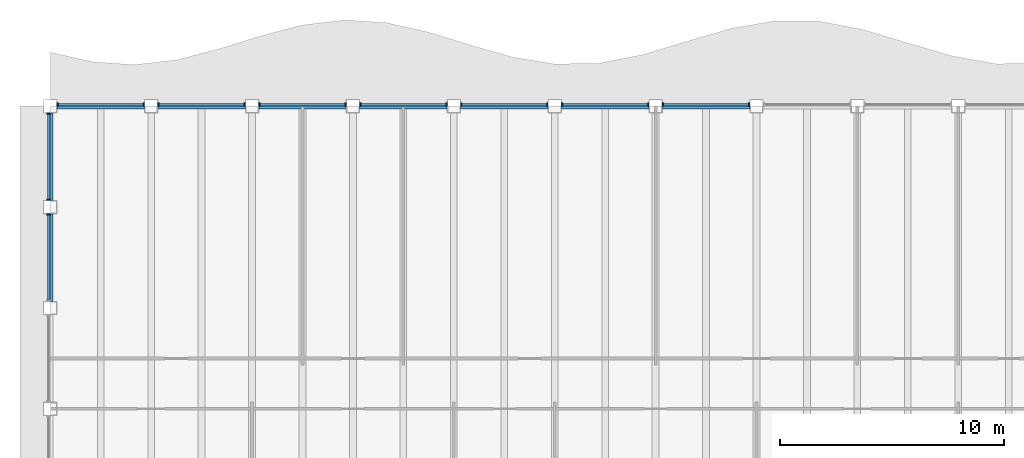
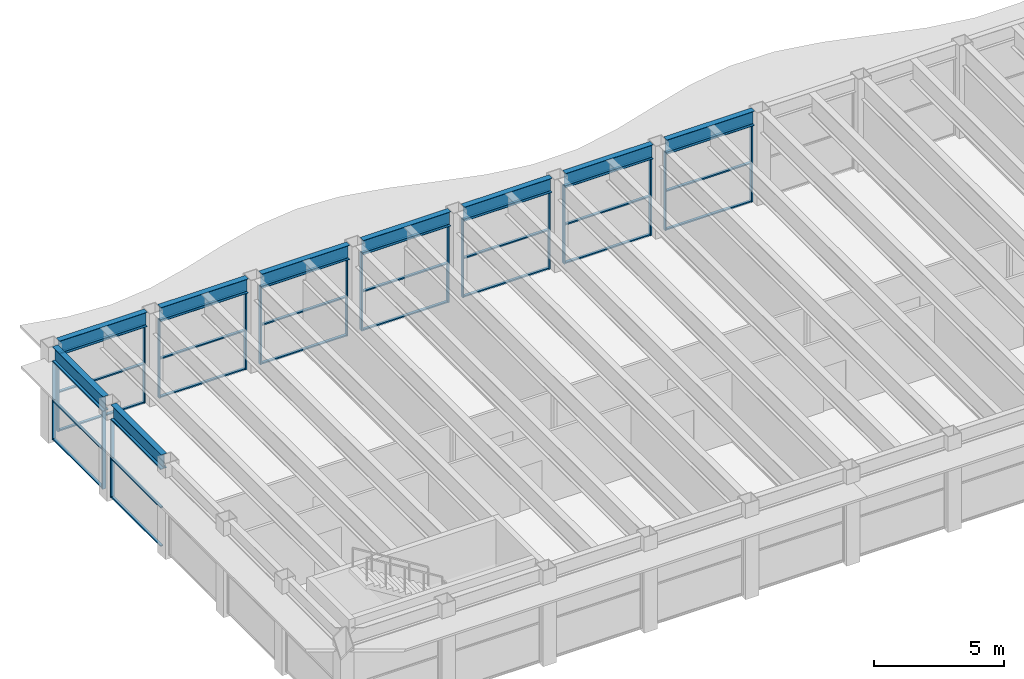
# One storey, part 4 of 14: 44 members, 9 beams, 9 elements without a shape of their own.
"""IFC4 building model written with IfcOpenShell, lengths in metres."""

from ifc_helpers import new_model, si_unit, direction, frame, origin, origin_2d, place, context, subcontext, project, spatial, rectangle, i_section, extrude, material, material_profile, profile_set, type_object, element, aggregate, save


model = new_model("IFC4")

# Units and contexts
model_context = context("Model", 3, precision=1e-05, world=origin(), true_north=direction((0.0, 1.0)))
body_context = subcontext(model_context, "Body", "Model", "MODEL_VIEW")
ifc_project = project(units=[si_unit("LENGTHUNIT", "METRE"), si_unit("AREAUNIT", "SQUARE_METRE"), si_unit("VOLUMEUNIT", "CUBIC_METRE"), si_unit("PLANEANGLEUNIT", "RADIAN"), si_unit("MASSUNIT", "GRAM", prefix="KILO")], contexts=[model_context])

# Site, building, storey
site_placement = place(None, origin())
site = spatial("IfcSite", under=ifc_project, at=site_placement, CompositionType="ELEMENT")
building_placement = place(site_placement, origin())
building = spatial("IfcBuilding", under=site, at=building_placement, Name="Sennacour Bend Tower", CompositionType="ELEMENT")
storey_placement = place(building_placement, frame((0.0, 0.0, 309.5)))
storey = spatial("IfcBuildingStorey", under=building, at=storey_placement, Name="L71", CompositionType="ELEMENT", Elevation=309.5)

# Curtain wall, members
ifc_material_1 = material(Name="Bronze anodised aluminium curtain wall with clear glass", Category="aluminium")
curtain_wall_type = type_object("IfcCurtainWallType", Name="CURTAIN WALL EXEC", PredefinedType="NOTDEFINED", material=ifc_material_1)
curtain_wall_1_placement = place(storey_placement, origin())
curtain_wall_1 = element("IfcCurtainWall", 1, at=curtain_wall_1_placement, inside=storey, type_object=curtain_wall_type, Name="Executive floor glass wall L71", PredefinedType="NOTDEFINED")
ifc_material_2 = material(Name="Aluminium 6063-T6", Category="aluminium")
ifc_material_profile_1 = material_profile(ifc_material_2, rectangle(XDim=0.14990234375, YDim=0.06005859375, at=origin_2d()), Name="Aluminium 6063-T6", Category="aluminium")
ifc_profile_set_1 = profile_set([ifc_material_profile_1], Name="Aluminium 6063-T6")
member_type_1 = type_object("IfcMemberType", Name="CW-MULLION-150X60", PredefinedType="MULLION", material=ifc_profile_set_1)
member_1_placement = place(storey_placement, frame((31.169921875, 22.574951171875, 0.0), z_axis=(0.0, 0.0, 1.0), x_axis=(0.0, -1.0, 0.0)))
member_1 = element("IfcMember", 2, at=member_1_placement, type_object=member_type_1, Name="GW3 curtain wall mullion 1", PredefinedType="MULLION", context=body_context, shape_type="SweptSolid", body=[
    extrude(rectangle(XDim=0.14990234375, YDim=0.06005859375, at=origin_2d()), origin(), (0.0, 0.0, 1.0), 3.672119140625),
])
member_2_placement = place(storey_placement, frame((27.330078125, 22.574951171875, 0.0), z_axis=(0.0, 0.0, 1.0), x_axis=(0.0, -1.0, 0.0)))
member_2 = element("IfcMember", 3, at=member_2_placement, type_object=member_type_1, Name="GW3 curtain wall mullion 2", PredefinedType="MULLION", context=body_context, shape_type="SweptSolid", body=[
    extrude(rectangle(XDim=0.14990234375, YDim=0.06005859375, at=origin_2d()), origin(), (0.0, 0.0, 1.0), 3.672119140625),
])

curtain_wall_2_placement = place(storey_placement, origin())
curtain_wall_2 = element("IfcCurtainWall", 4, at=curtain_wall_2_placement, inside=storey, type_object=curtain_wall_type, Name="Executive floor glass wall L71", PredefinedType="NOTDEFINED")
member_3_placement = place(storey_placement, frame((26.669921875, 22.574951171875, 0.0), z_axis=(0.0, 0.0, 1.0), x_axis=(0.0, -1.0, 0.0)))
member_3 = element("IfcMember", 5, at=member_3_placement, type_object=member_type_1, Name="GW3 curtain wall mullion 1", PredefinedType="MULLION", context=body_context, shape_type="SweptSolid", body=[
    extrude(rectangle(XDim=0.14990234375, YDim=0.06005859375, at=origin_2d()), origin(), (0.0, 0.0, 1.0), 3.672119140625),
])
member_4_placement = place(storey_placement, frame((22.830078125, 22.574951171875, 0.0), z_axis=(0.0, 0.0, 1.0), x_axis=(0.0, -1.0, 0.0)))
member_4 = element("IfcMember", 6, at=member_4_placement, type_object=member_type_1, Name="GW3 curtain wall mullion 2", PredefinedType="MULLION", context=body_context, shape_type="SweptSolid", body=[
    extrude(rectangle(XDim=0.14990234375, YDim=0.06005859375, at=origin_2d()), origin(), (0.0, 0.0, 1.0), 3.672119140625),
])

curtain_wall_3_placement = place(storey_placement, origin())
curtain_wall_3 = element("IfcCurtainWall", 7, at=curtain_wall_3_placement, inside=storey, type_object=curtain_wall_type, Name="Executive floor glass wall L71", PredefinedType="NOTDEFINED")
member_5_placement = place(storey_placement, frame((22.169921875, 22.574951171875, 0.0), z_axis=(0.0, 0.0, 1.0), x_axis=(0.0, -1.0, 0.0)))
member_5 = element("IfcMember", 8, at=member_5_placement, type_object=member_type_1, Name="GW3 curtain wall mullion 1", PredefinedType="MULLION", context=body_context, shape_type="SweptSolid", body=[
    extrude(rectangle(XDim=0.14990234375, YDim=0.06005859375, at=origin_2d()), origin(), (0.0, 0.0, 1.0), 3.672119140625),
])
member_6_placement = place(storey_placement, frame((18.330078125, 22.574951171875, 0.0), z_axis=(0.0, 0.0, 1.0), x_axis=(0.0, -1.0, 0.0)))
member_6 = element("IfcMember", 9, at=member_6_placement, type_object=member_type_1, Name="GW3 curtain wall mullion 2", PredefinedType="MULLION", context=body_context, shape_type="SweptSolid", body=[
    extrude(rectangle(XDim=0.14990234375, YDim=0.06005859375, at=origin_2d()), origin(), (0.0, 0.0, 1.0), 3.672119140625),
])

curtain_wall_4_placement = place(storey_placement, origin())
curtain_wall_4 = element("IfcCurtainWall", 10, at=curtain_wall_4_placement, inside=storey, type_object=curtain_wall_type, Name="Executive floor glass wall L71", PredefinedType="NOTDEFINED")
member_7_placement = place(storey_placement, frame((17.669921875, 22.574951171875, 0.0), z_axis=(0.0, 0.0, 1.0), x_axis=(0.0, -1.0, 0.0)))
member_7 = element("IfcMember", 11, at=member_7_placement, type_object=member_type_1, Name="GW3 curtain wall mullion 1", PredefinedType="MULLION", context=body_context, shape_type="SweptSolid", body=[
    extrude(rectangle(XDim=0.14990234375, YDim=0.06005859375, at=origin_2d()), origin(), (0.0, 0.0, 1.0), 3.672119140625),
])
member_8_placement = place(storey_placement, frame((13.830078125, 22.574951171875, 0.0), z_axis=(0.0, 0.0, 1.0), x_axis=(0.0, -1.0, 0.0)))
member_8 = element("IfcMember", 12, at=member_8_placement, type_object=member_type_1, Name="GW3 curtain wall mullion 2", PredefinedType="MULLION", context=body_context, shape_type="SweptSolid", body=[
    extrude(rectangle(XDim=0.14990234375, YDim=0.06005859375, at=origin_2d()), origin(), (0.0, 0.0, 1.0), 3.672119140625),
])

curtain_wall_5_placement = place(storey_placement, origin())
curtain_wall_5 = element("IfcCurtainWall", 13, at=curtain_wall_5_placement, inside=storey, type_object=curtain_wall_type, Name="Executive floor glass wall L71", PredefinedType="NOTDEFINED")
member_9_placement = place(storey_placement, frame((13.169921875, 22.574951171875, 0.0), z_axis=(0.0, 0.0, 1.0), x_axis=(0.0, -1.0, 0.0)))
member_9 = element("IfcMember", 14, at=member_9_placement, type_object=member_type_1, Name="GW3 curtain wall mullion 1", PredefinedType="MULLION", context=body_context, shape_type="SweptSolid", body=[
    extrude(rectangle(XDim=0.14990234375, YDim=0.06005859375, at=origin_2d()), origin(), (0.0, 0.0, 1.0), 3.672119140625),
])
member_10_placement = place(storey_placement, frame((9.330078125, 22.574951171875, 0.0), z_axis=(0.0, 0.0, 1.0), x_axis=(0.0, -1.0, 0.0)))
member_10 = element("IfcMember", 15, at=member_10_placement, type_object=member_type_1, Name="GW3 curtain wall mullion 2", PredefinedType="MULLION", context=body_context, shape_type="SweptSolid", body=[
    extrude(rectangle(XDim=0.14990234375, YDim=0.06005859375, at=origin_2d()), origin(), (0.0, 0.0, 1.0), 3.672119140625),
])

curtain_wall_6_placement = place(storey_placement, origin())
curtain_wall_6 = element("IfcCurtainWall", 16, at=curtain_wall_6_placement, inside=storey, type_object=curtain_wall_type, Name="Executive floor glass wall L71", PredefinedType="NOTDEFINED")
member_11_placement = place(storey_placement, frame((8.669921875, 22.574951171875, 0.0), z_axis=(0.0, 0.0, 1.0), x_axis=(0.0, -1.0, 0.0)))
member_11 = element("IfcMember", 17, at=member_11_placement, type_object=member_type_1, Name="GW3 curtain wall mullion 1", PredefinedType="MULLION", context=body_context, shape_type="SweptSolid", body=[
    extrude(rectangle(XDim=0.14990234375, YDim=0.06005859375, at=origin_2d()), origin(), (0.0, 0.0, 1.0), 3.672119140625),
])
member_12_placement = place(storey_placement, frame((4.830078125, 22.574951171875, 0.0), z_axis=(0.0, 0.0, 1.0), x_axis=(0.0, -1.0, 0.0)))
member_12 = element("IfcMember", 18, at=member_12_placement, type_object=member_type_1, Name="GW3 curtain wall mullion 2", PredefinedType="MULLION", context=body_context, shape_type="SweptSolid", body=[
    extrude(rectangle(XDim=0.14990234375, YDim=0.06005859375, at=origin_2d()), origin(), (0.0, 0.0, 1.0), 3.672119140625),
])

curtain_wall_7_placement = place(storey_placement, origin())
curtain_wall_7 = element("IfcCurtainWall", 19, at=curtain_wall_7_placement, inside=storey, type_object=curtain_wall_type, Name="Executive floor glass wall L71", PredefinedType="NOTDEFINED")
member_13_placement = place(storey_placement, frame((4.169921875, 22.574951171875, 0.0), z_axis=(0.0, 0.0, 1.0), x_axis=(0.0, -1.0, 0.0)))
member_13 = element("IfcMember", 20, at=member_13_placement, type_object=member_type_1, Name="GW3 curtain wall mullion 1", PredefinedType="MULLION", context=body_context, shape_type="SweptSolid", body=[
    extrude(rectangle(XDim=0.14990234375, YDim=0.06005859375, at=origin_2d()), origin(), (0.0, 0.0, 1.0), 3.672119140625),
])
member_14_placement = place(storey_placement, frame((0.330078125, 22.574951171875, 0.0), z_axis=(0.0, 0.0, 1.0), x_axis=(0.0, -1.0, 0.0)))
member_14 = element("IfcMember", 21, at=member_14_placement, type_object=member_type_1, Name="GW3 curtain wall mullion 2", PredefinedType="MULLION", context=body_context, shape_type="SweptSolid", body=[
    extrude(rectangle(XDim=0.14990234375, YDim=0.06005859375, at=origin_2d()), origin(), (0.0, 0.0, 1.0), 3.672119140625),
])

curtain_wall_8_placement = place(storey_placement, origin())
curtain_wall_8 = element("IfcCurtainWall", 22, at=curtain_wall_8_placement, inside=storey, type_object=curtain_wall_type, Name="Executive floor glass wall L71", PredefinedType="NOTDEFINED")
member_15_placement = place(storey_placement, frame((-0.074951171875, 22.169921875, 0.0), z_axis=(0.0, 0.0, 1.0), x_axis=(1.0, 0.0, 0.0)))
member_15 = element("IfcMember", 23, at=member_15_placement, type_object=member_type_1, Name="GW3 curtain wall mullion 1", PredefinedType="MULLION", context=body_context, shape_type="SweptSolid", body=[
    extrude(rectangle(XDim=0.14990234375, YDim=0.06005859375, at=origin_2d()), origin(), (0.0, 0.0, 1.0), 3.672119140625),
])
member_16_placement = place(storey_placement, frame((-0.074951171875, 18.330078125, 0.0), z_axis=(0.0, 0.0, 1.0), x_axis=(1.0, 0.0, 0.0)))
member_16 = element("IfcMember", 24, at=member_16_placement, type_object=member_type_1, Name="GW3 curtain wall mullion 2", PredefinedType="MULLION", context=body_context, shape_type="SweptSolid", body=[
    extrude(rectangle(XDim=0.14990234375, YDim=0.06005859375, at=origin_2d()), origin(), (0.0, 0.0, 1.0), 3.672119140625),
])

# Curtain wall, member
curtain_wall_9_placement = place(storey_placement, origin())
curtain_wall_9 = element("IfcCurtainWall", 25, at=curtain_wall_9_placement, inside=storey, type_object=curtain_wall_type, Name="Executive floor glass wall L71", PredefinedType="NOTDEFINED")
member_17_placement = place(storey_placement, frame((-0.074951171875, 17.669921875, 0.0), z_axis=(0.0, 0.0, 1.0), x_axis=(1.0, 0.0, 0.0)))
member_17 = element("IfcMember", 26, at=member_17_placement, type_object=member_type_1, Name="GW3 curtain wall mullion 1", PredefinedType="MULLION", context=body_context, shape_type="SweptSolid", body=[
    extrude(rectangle(XDim=0.14990234375, YDim=0.06005859375, at=origin_2d()), origin(), (0.0, 0.0, 1.0), 3.672119140625),
])

# Member
ifc_material_profile_2 = material_profile(ifc_material_2, rectangle(XDim=0.1201171875, YDim=0.06005859375, at=origin_2d()), Name="Aluminium 6063-T6", Category="aluminium")
ifc_profile_set_2 = profile_set([ifc_material_profile_2], Name="Aluminium 6063-T6")
member_type_2 = type_object("IfcMemberType", Name="CW-TRANSOM-120X60", PredefinedType="USERDEFINED", material=ifc_profile_set_2)
member_18_placement = place(storey_placement, frame((31.139892578125, 22.574951171875, 0.030029296875), z_axis=(-1.0, 0.0, 0.0), x_axis=(0.0, -1.0, 0.0)))
member_18 = element("IfcMember", 27, at=member_18_placement, type_object=member_type_2, Name="GW3 curtain wall transom 1.1", ObjectType="TRANSOM", PredefinedType="USERDEFINED", context=body_context, shape_type="SweptSolid", body=[
    extrude(rectangle(XDim=0.1201171875, YDim=0.06005859375, at=origin_2d()), origin(), (0.0, 0.0, 1.0), 3.77978515625),
])

member_19_placement = place(storey_placement, frame((31.139892578125, 22.574951171875, 1.8359375), z_axis=(-1.0, 0.0, 0.0), x_axis=(0.0, -1.0, 0.0)))
member_19 = element("IfcMember", 28, at=member_19_placement, type_object=member_type_2, Name="GW3 curtain wall transom 1.2", ObjectType="TRANSOM", PredefinedType="USERDEFINED", context=body_context, shape_type="SweptSolid", body=[
    extrude(rectangle(XDim=0.1201171875, YDim=0.06005859375, at=origin_2d()), origin(), (0.0, 0.0, 1.0), 3.77978515625),
])

member_20_placement = place(storey_placement, frame((31.139892578125, 22.574951171875, 3.64208984375), z_axis=(-1.0, 0.0, 0.0), x_axis=(0.0, -1.0, 0.0)))
member_20 = element("IfcMember", 29, at=member_20_placement, type_object=member_type_2, Name="GW3 curtain wall transom 1.3", ObjectType="TRANSOM", PredefinedType="USERDEFINED", context=body_context, shape_type="SweptSolid", body=[
    extrude(rectangle(XDim=0.1201171875, YDim=0.06005859375, at=origin_2d()), origin(), (0.0, 0.0, 1.0), 3.77978515625),
])

aggregate(curtain_wall_1, [member_1, member_2, member_18, member_19, member_20])

member_21_placement = place(storey_placement, frame((26.639892578125, 22.574951171875, 0.030029296875), z_axis=(-1.0, 0.0, 0.0), x_axis=(0.0, -1.0, 0.0)))
member_21 = element("IfcMember", 30, at=member_21_placement, type_object=member_type_2, Name="GW3 curtain wall transom 1.1", ObjectType="TRANSOM", PredefinedType="USERDEFINED", context=body_context, shape_type="SweptSolid", body=[
    extrude(rectangle(XDim=0.1201171875, YDim=0.06005859375, at=origin_2d()), origin(), (0.0, 0.0, 1.0), 3.77978515625),
])

member_22_placement = place(storey_placement, frame((26.639892578125, 22.574951171875, 1.8359375), z_axis=(-1.0, 0.0, 0.0), x_axis=(0.0, -1.0, 0.0)))
member_22 = element("IfcMember", 31, at=member_22_placement, type_object=member_type_2, Name="GW3 curtain wall transom 1.2", ObjectType="TRANSOM", PredefinedType="USERDEFINED", context=body_context, shape_type="SweptSolid", body=[
    extrude(rectangle(XDim=0.1201171875, YDim=0.06005859375, at=origin_2d()), origin(), (0.0, 0.0, 1.0), 3.77978515625),
])

member_23_placement = place(storey_placement, frame((26.639892578125, 22.574951171875, 3.64208984375), z_axis=(-1.0, 0.0, 0.0), x_axis=(0.0, -1.0, 0.0)))
member_23 = element("IfcMember", 32, at=member_23_placement, type_object=member_type_2, Name="GW3 curtain wall transom 1.3", ObjectType="TRANSOM", PredefinedType="USERDEFINED", context=body_context, shape_type="SweptSolid", body=[
    extrude(rectangle(XDim=0.1201171875, YDim=0.06005859375, at=origin_2d()), origin(), (0.0, 0.0, 1.0), 3.77978515625),
])

aggregate(curtain_wall_2, [member_3, member_4, member_21, member_22, member_23])

member_24_placement = place(storey_placement, frame((22.139892578125, 22.574951171875, 0.030029296875), z_axis=(-1.0, 0.0, 0.0), x_axis=(0.0, -1.0, 0.0)))
member_24 = element("IfcMember", 33, at=member_24_placement, type_object=member_type_2, Name="GW3 curtain wall transom 1.1", ObjectType="TRANSOM", PredefinedType="USERDEFINED", context=body_context, shape_type="SweptSolid", body=[
    extrude(rectangle(XDim=0.1201171875, YDim=0.06005859375, at=origin_2d()), origin(), (0.0, 0.0, 1.0), 3.77978515625),
])

member_25_placement = place(storey_placement, frame((22.139892578125, 22.574951171875, 1.8359375), z_axis=(-1.0, 0.0, 0.0), x_axis=(0.0, -1.0, 0.0)))
member_25 = element("IfcMember", 34, at=member_25_placement, type_object=member_type_2, Name="GW3 curtain wall transom 1.2", ObjectType="TRANSOM", PredefinedType="USERDEFINED", context=body_context, shape_type="SweptSolid", body=[
    extrude(rectangle(XDim=0.1201171875, YDim=0.06005859375, at=origin_2d()), origin(), (0.0, 0.0, 1.0), 3.77978515625),
])

member_26_placement = place(storey_placement, frame((22.139892578125, 22.574951171875, 3.64208984375), z_axis=(-1.0, 0.0, 0.0), x_axis=(0.0, -1.0, 0.0)))
member_26 = element("IfcMember", 35, at=member_26_placement, type_object=member_type_2, Name="GW3 curtain wall transom 1.3", ObjectType="TRANSOM", PredefinedType="USERDEFINED", context=body_context, shape_type="SweptSolid", body=[
    extrude(rectangle(XDim=0.1201171875, YDim=0.06005859375, at=origin_2d()), origin(), (0.0, 0.0, 1.0), 3.77978515625),
])

aggregate(curtain_wall_3, [member_5, member_6, member_24, member_25, member_26])

member_27_placement = place(storey_placement, frame((17.639892578125, 22.574951171875, 0.030029296875), z_axis=(-1.0, 0.0, 0.0), x_axis=(0.0, -1.0, 0.0)))
member_27 = element("IfcMember", 36, at=member_27_placement, type_object=member_type_2, Name="GW3 curtain wall transom 1.1", ObjectType="TRANSOM", PredefinedType="USERDEFINED", context=body_context, shape_type="SweptSolid", body=[
    extrude(rectangle(XDim=0.1201171875, YDim=0.06005859375, at=origin_2d()), origin(), (0.0, 0.0, 1.0), 3.77978515625),
])

member_28_placement = place(storey_placement, frame((17.639892578125, 22.574951171875, 1.8359375), z_axis=(-1.0, 0.0, 0.0), x_axis=(0.0, -1.0, 0.0)))
member_28 = element("IfcMember", 37, at=member_28_placement, type_object=member_type_2, Name="GW3 curtain wall transom 1.2", ObjectType="TRANSOM", PredefinedType="USERDEFINED", context=body_context, shape_type="SweptSolid", body=[
    extrude(rectangle(XDim=0.1201171875, YDim=0.06005859375, at=origin_2d()), origin(), (0.0, 0.0, 1.0), 3.77978515625),
])

member_29_placement = place(storey_placement, frame((17.639892578125, 22.574951171875, 3.64208984375), z_axis=(-1.0, 0.0, 0.0), x_axis=(0.0, -1.0, 0.0)))
member_29 = element("IfcMember", 38, at=member_29_placement, type_object=member_type_2, Name="GW3 curtain wall transom 1.3", ObjectType="TRANSOM", PredefinedType="USERDEFINED", context=body_context, shape_type="SweptSolid", body=[
    extrude(rectangle(XDim=0.1201171875, YDim=0.06005859375, at=origin_2d()), origin(), (0.0, 0.0, 1.0), 3.77978515625),
])

aggregate(curtain_wall_4, [member_7, member_8, member_27, member_28, member_29])

member_30_placement = place(storey_placement, frame((13.139892578125, 22.574951171875, 0.030029296875), z_axis=(-1.0, 0.0, 0.0), x_axis=(0.0, -1.0, 0.0)))
member_30 = element("IfcMember", 39, at=member_30_placement, type_object=member_type_2, Name="GW3 curtain wall transom 1.1", ObjectType="TRANSOM", PredefinedType="USERDEFINED", context=body_context, shape_type="SweptSolid", body=[
    extrude(rectangle(XDim=0.1201171875, YDim=0.06005859375, at=origin_2d()), origin(), (0.0, 0.0, 1.0), 3.77978515625),
])

member_31_placement = place(storey_placement, frame((13.139892578125, 22.574951171875, 1.8359375), z_axis=(-1.0, 0.0, 0.0), x_axis=(0.0, -1.0, 0.0)))
member_31 = element("IfcMember", 40, at=member_31_placement, type_object=member_type_2, Name="GW3 curtain wall transom 1.2", ObjectType="TRANSOM", PredefinedType="USERDEFINED", context=body_context, shape_type="SweptSolid", body=[
    extrude(rectangle(XDim=0.1201171875, YDim=0.06005859375, at=origin_2d()), origin(), (0.0, 0.0, 1.0), 3.77978515625),
])

member_32_placement = place(storey_placement, frame((13.139892578125, 22.574951171875, 3.64208984375), z_axis=(-1.0, 0.0, 0.0), x_axis=(0.0, -1.0, 0.0)))
member_32 = element("IfcMember", 41, at=member_32_placement, type_object=member_type_2, Name="GW3 curtain wall transom 1.3", ObjectType="TRANSOM", PredefinedType="USERDEFINED", context=body_context, shape_type="SweptSolid", body=[
    extrude(rectangle(XDim=0.1201171875, YDim=0.06005859375, at=origin_2d()), origin(), (0.0, 0.0, 1.0), 3.77978515625),
])

aggregate(curtain_wall_5, [member_9, member_10, member_30, member_31, member_32])

member_33_placement = place(storey_placement, frame((8.639892578125, 22.574951171875, 0.030029296875), z_axis=(-1.0, 0.0, 0.0), x_axis=(0.0, -1.0, 0.0)))
member_33 = element("IfcMember", 42, at=member_33_placement, type_object=member_type_2, Name="GW3 curtain wall transom 1.1", ObjectType="TRANSOM", PredefinedType="USERDEFINED", context=body_context, shape_type="SweptSolid", body=[
    extrude(rectangle(XDim=0.1201171875, YDim=0.06005859375, at=origin_2d()), origin(), (0.0, 0.0, 1.0), 3.77978515625),
])

member_34_placement = place(storey_placement, frame((8.639892578125, 22.574951171875, 1.8359375), z_axis=(-1.0, 0.0, 0.0), x_axis=(0.0, -1.0, 0.0)))
member_34 = element("IfcMember", 43, at=member_34_placement, type_object=member_type_2, Name="GW3 curtain wall transom 1.2", ObjectType="TRANSOM", PredefinedType="USERDEFINED", context=body_context, shape_type="SweptSolid", body=[
    extrude(rectangle(XDim=0.1201171875, YDim=0.06005859375, at=origin_2d()), origin(), (0.0, 0.0, 1.0), 3.77978515625),
])

member_35_placement = place(storey_placement, frame((8.639892578125, 22.574951171875, 3.64208984375), z_axis=(-1.0, 0.0, 0.0), x_axis=(0.0, -1.0, 0.0)))
member_35 = element("IfcMember", 44, at=member_35_placement, type_object=member_type_2, Name="GW3 curtain wall transom 1.3", ObjectType="TRANSOM", PredefinedType="USERDEFINED", context=body_context, shape_type="SweptSolid", body=[
    extrude(rectangle(XDim=0.1201171875, YDim=0.06005859375, at=origin_2d()), origin(), (0.0, 0.0, 1.0), 3.77978515625),
])

aggregate(curtain_wall_6, [member_11, member_12, member_33, member_34, member_35])

member_36_placement = place(storey_placement, frame((4.139892578125, 22.574951171875, 0.030029296875), z_axis=(-1.0, 0.0, 0.0), x_axis=(0.0, -1.0, 0.0)))
member_36 = element("IfcMember", 45, at=member_36_placement, type_object=member_type_2, Name="GW3 curtain wall transom 1.1", ObjectType="TRANSOM", PredefinedType="USERDEFINED", context=body_context, shape_type="SweptSolid", body=[
    extrude(rectangle(XDim=0.1201171875, YDim=0.06005859375, at=origin_2d()), origin(), (0.0, 0.0, 1.0), 3.77978515625),
])

member_37_placement = place(storey_placement, frame((4.139892578125, 22.574951171875, 1.8359375), z_axis=(-1.0, 0.0, 0.0), x_axis=(0.0, -1.0, 0.0)))
member_37 = element("IfcMember", 46, at=member_37_placement, type_object=member_type_2, Name="GW3 curtain wall transom 1.2", ObjectType="TRANSOM", PredefinedType="USERDEFINED", context=body_context, shape_type="SweptSolid", body=[
    extrude(rectangle(XDim=0.1201171875, YDim=0.06005859375, at=origin_2d()), origin(), (0.0, 0.0, 1.0), 3.77978515625),
])

member_38_placement = place(storey_placement, frame((4.139892578125, 22.574951171875, 3.64208984375), z_axis=(-1.0, 0.0, 0.0), x_axis=(0.0, -1.0, 0.0)))
member_38 = element("IfcMember", 47, at=member_38_placement, type_object=member_type_2, Name="GW3 curtain wall transom 1.3", ObjectType="TRANSOM", PredefinedType="USERDEFINED", context=body_context, shape_type="SweptSolid", body=[
    extrude(rectangle(XDim=0.1201171875, YDim=0.06005859375, at=origin_2d()), origin(), (0.0, 0.0, 1.0), 3.77978515625),
])

aggregate(curtain_wall_7, [member_13, member_14, member_36, member_37, member_38])

member_39_placement = place(storey_placement, frame((-0.074951171875, 22.139892578125, 0.030029296875), z_axis=(0.0, -1.0, 0.0), x_axis=(1.0, 0.0, 0.0)))
member_39 = element("IfcMember", 48, at=member_39_placement, type_object=member_type_2, Name="GW3 curtain wall transom 1.1", ObjectType="TRANSOM", PredefinedType="USERDEFINED", context=body_context, shape_type="SweptSolid", body=[
    extrude(rectangle(XDim=0.1201171875, YDim=0.06005859375, at=origin_2d()), origin(), (0.0, 0.0, 1.0), 3.77978515625),
])

member_40_placement = place(storey_placement, frame((-0.074951171875, 22.139892578125, 1.8359375), z_axis=(0.0, -1.0, 0.0), x_axis=(1.0, 0.0, 0.0)))
member_40 = element("IfcMember", 49, at=member_40_placement, type_object=member_type_2, Name="GW3 curtain wall transom 1.2", ObjectType="TRANSOM", PredefinedType="USERDEFINED", context=body_context, shape_type="SweptSolid", body=[
    extrude(rectangle(XDim=0.1201171875, YDim=0.06005859375, at=origin_2d()), origin(), (0.0, 0.0, 1.0), 3.77978515625),
])

member_41_placement = place(storey_placement, frame((-0.074951171875, 22.139892578125, 3.64208984375), z_axis=(0.0, -1.0, 0.0), x_axis=(1.0, 0.0, 0.0)))
member_41 = element("IfcMember", 50, at=member_41_placement, type_object=member_type_2, Name="GW3 curtain wall transom 1.3", ObjectType="TRANSOM", PredefinedType="USERDEFINED", context=body_context, shape_type="SweptSolid", body=[
    extrude(rectangle(XDim=0.1201171875, YDim=0.06005859375, at=origin_2d()), origin(), (0.0, 0.0, 1.0), 3.77978515625),
])

aggregate(curtain_wall_8, [member_15, member_16, member_39, member_40, member_41])

member_42_placement = place(storey_placement, frame((-0.074951171875, 17.639892578125, 0.030029296875), z_axis=(0.0, -1.0, 0.0), x_axis=(1.0, 0.0, 0.0)))
member_42 = element("IfcMember", 51, at=member_42_placement, type_object=member_type_2, Name="GW3 curtain wall transom 1.1", ObjectType="TRANSOM", PredefinedType="USERDEFINED", context=body_context, shape_type="SweptSolid", body=[
    extrude(rectangle(XDim=0.1201171875, YDim=0.06005859375, at=origin_2d()), origin(), (0.0, 0.0, 1.0), 3.77978515625),
])

member_43_placement = place(storey_placement, frame((-0.074951171875, 17.639892578125, 1.8359375), z_axis=(0.0, -1.0, 0.0), x_axis=(1.0, 0.0, 0.0)))
member_43 = element("IfcMember", 52, at=member_43_placement, type_object=member_type_2, Name="GW3 curtain wall transom 1.2", ObjectType="TRANSOM", PredefinedType="USERDEFINED", context=body_context, shape_type="SweptSolid", body=[
    extrude(rectangle(XDim=0.1201171875, YDim=0.06005859375, at=origin_2d()), origin(), (0.0, 0.0, 1.0), 3.77978515625),
])

member_44_placement = place(storey_placement, frame((-0.074951171875, 17.639892578125, 3.64208984375), z_axis=(0.0, -1.0, 0.0), x_axis=(1.0, 0.0, 0.0)))
member_44 = element("IfcMember", 53, at=member_44_placement, type_object=member_type_2, Name="GW3 curtain wall transom 1.3", ObjectType="TRANSOM", PredefinedType="USERDEFINED", context=body_context, shape_type="SweptSolid", body=[
    extrude(rectangle(XDim=0.1201171875, YDim=0.06005859375, at=origin_2d()), origin(), (0.0, 0.0, 1.0), 3.77978515625),
])

aggregate(curtain_wall_9, [member_17, member_42, member_43, member_44])

# Beams
ifc_material_3 = material(Name="Steel ASTM A992 Grade 50", Category="steel")
ifc_material_profile_3 = material_profile(ifc_material_3, i_section(OverallWidth=0.25390625, OverallDepth=0.677978515625, WebThickness=0.01171875, FlangeThickness=0.016357421875, FilletRadius=0.01513671875, at=origin_2d()), Name="Steel ASTM A992 Grade 50", Category="steel")
ifc_profile_set_3 = profile_set([ifc_material_profile_3], Name="Steel ASTM A992 Grade 50")
beam_type = type_object("IfcBeamType", Name="Spandrel beam W690X125", PredefinedType="SPANDREL", material=ifc_profile_set_3)
for number, where, z_axis, x_axis, name in (
    (54, (0.0, 13.800048828125, 4.010986328125), (0.0, 1.0, 0.0), (-1.0, 0.0, 0.0), "Spandrel beam SP7 L72-004"),
    (55, (0.0, 18.300048828125, 4.010986328125), (0.0, 1.0, 0.0), (-1.0, 0.0, 0.0), "Spandrel beam SP7 L72-005"),
    (56, (0.300048828125, 22.5, 4.010986328125), (1.0, 0.0, 0.0), (0.0, 1.0, 0.0), "Spandrel beam SP7 L72-006"),
    (57, (4.800048828125, 22.5, 4.010986328125), (1.0, 0.0, 0.0), (0.0, 1.0, 0.0), "Spandrel beam SP7 L72-007"),
    (58, (9.300048828125, 22.5, 4.010986328125), (1.0, 0.0, 0.0), (0.0, 1.0, 0.0), "Spandrel beam SP7 L72-008"),
    (59, (13.800048828125, 22.5, 4.010986328125), (1.0, 0.0, 0.0), (0.0, 1.0, 0.0), "Spandrel beam SP7 L72-009"),
    (60, (18.300048828125, 22.5, 4.010986328125), (1.0, 0.0, 0.0), (0.0, 1.0, 0.0), "Spandrel beam SP7 L72-010"),
    (61, (22.800048828125, 22.5, 4.010986328125), (1.0, 0.0, 0.0), (0.0, 1.0, 0.0), "Spandrel beam SP7 L72-011"),
    (62, (27.300048828125, 22.5, 4.010986328125), (1.0, 0.0, 0.0), (0.0, 1.0, 0.0), "Spandrel beam SP7 L72-012"),
):
    element("IfcBeam", number, at=place(storey_placement, frame(where, z_axis=z_axis, x_axis=x_axis)), inside=storey, type_object=beam_type, Name=name, PredefinedType="SPANDREL", context=body_context, shape_type="SweptSolid", body=[
        extrude(i_section(OverallWidth=0.25390625, OverallDepth=0.677978515625, WebThickness=0.01171875, FlangeThickness=0.016357421875, FilletRadius=0.01513671875, at=origin_2d()), origin(), (0.0, 0.0, 1.0), 3.89990234375),
    ])

save(model, "model.ifc")
